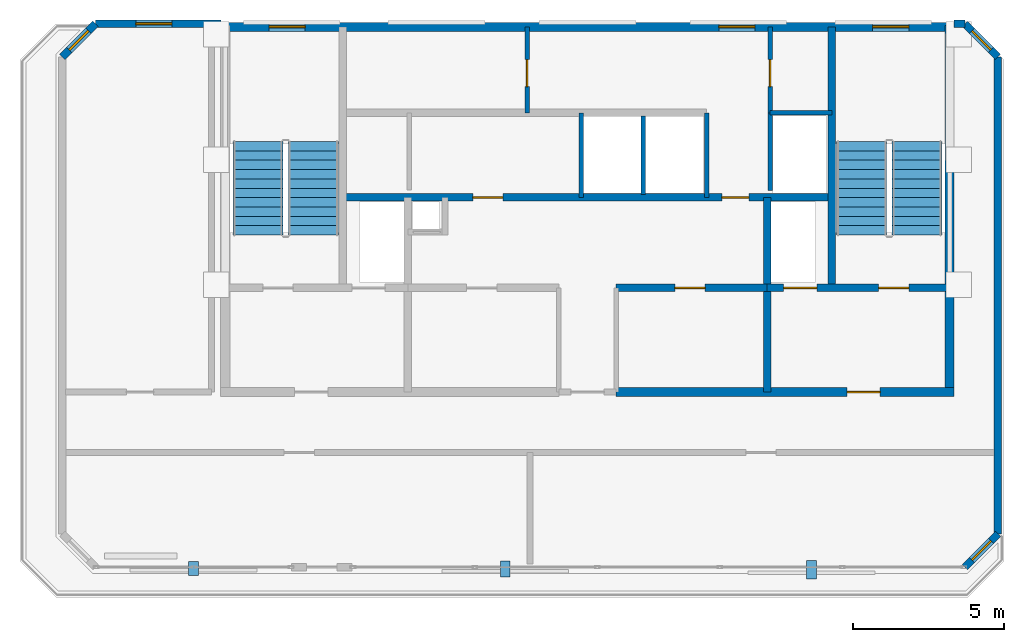
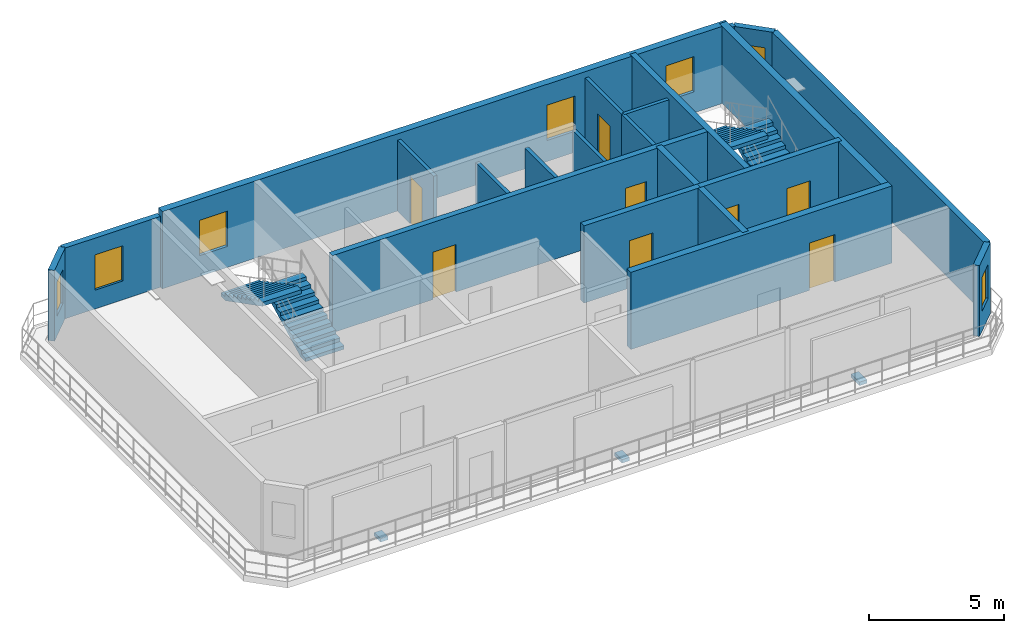
# One storey, part 5 of 6: 21 walls, 8 doors, 7 windows, 4 stair flights, 3 discrete accessories, 15 openings, 2 elements without a shape of their own.
"""IFC4 building model written with IfcOpenShell, lengths in metres."""

from ifc_helpers import new_model, si_unit, direction, frame, frame_2d, origin, origin_2d, place, context, subcontext, project, spatial, polyline, rectangle, outline, extrude, material, layer, layer_set, type_object, element, fill, aggregate, save


model = new_model("IFC4")

# Units and contexts
model_context = context("Model", 3, precision=1e-05, world=origin(), true_north=direction((0.0, 1.0)))
body_context = subcontext(model_context, "Body", "Model", "MODEL_VIEW")
ifc_project = project(units=[si_unit("LENGTHUNIT", "METRE"), si_unit("AREAUNIT", "SQUARE_METRE"), si_unit("VOLUMEUNIT", "CUBIC_METRE"), si_unit("PLANEANGLEUNIT", "RADIAN"), si_unit("MASSUNIT", "GRAM", prefix="KILO")], contexts=[model_context])

# Site, building, storey
site_placement = place(None, origin())
site = spatial("IfcSite", under=ifc_project, at=site_placement, CompositionType="ELEMENT")
building_placement = place(site_placement, origin())
building = spatial("IfcBuilding", under=site, at=building_placement, Name="Catumbela Crestline Tower", CompositionType="ELEMENT")
storey_placement = place(building_placement, frame((0.0, 0.0, 301.0)))
storey = spatial("IfcBuildingStorey", under=building, at=storey_placement, Name="L77", CompositionType="ELEMENT", Elevation=301.0)

# Walls
ifc_material_1 = material(Name="Concrete C50/60", Category="concrete")
ifc_layer_1 = layer(ifc_material_1, 0.25, Name="Concrete C50/60")
ifc_layer_set_1 = layer_set([ifc_layer_1], Name="Concrete C50/60")
wall_type_1 = type_object("IfcWallType", Name="CW-250D", PredefinedType="SHEAR", material=ifc_layer_set_1)
wall_1_placement = place(storey_placement, frame((36.1, 34.25, 0.0), z_axis=(0.0, 0.0, 1.0), x_axis=(0.0, 1.0, 0.0)))
element("IfcWall", 1, at=wall_1_placement, inside=storey, type_object=wall_type_1, Name="L77 Structural Core Shear Wall EWEB", PredefinedType="SHEAR", context=body_context, shape_type="SweptSolid", body=[
    extrude(rectangle(XDim=8.65, YDim=0.25, at=frame_2d((4.325, 0.0))), origin(), (0.0, 0.0, 1.0), 3.5),
])
wall_2_placement = place(storey_placement, frame((33.95, 30.8, 0.0), z_axis=(0.0, 0.0, 1.0), x_axis=(0.0, 1.0, 0.0)))
element("IfcWall", 2, at=wall_2_placement, inside=storey, type_object=wall_type_1, Name="L77 Structural Core Shear Wall FFE", PredefinedType="SHEAR", context=body_context, shape_type="SweptSolid", body=[
    extrude(rectangle(XDim=6.45, YDim=0.25, at=frame_2d((3.225, 0.0))), origin(), (0.0, 0.0, 1.0), 3.5),
])

# Wall, openings, doors
wall_3_placement = place(storey_placement, frame((33.95, 34.25, 0.0), z_axis=(0.0, 0.0, 1.0), x_axis=(1.0, 0.0, 0.0)))
wall_3 = element("IfcWall", 3, at=wall_3_placement, inside=storey, type_object=wall_type_1, Name="L77 Structural Core Shear Wall ST2S", PredefinedType="SHEAR", context=body_context, shape_type="SweptSolid", body=[
    extrude(rectangle(XDim=6.05, YDim=0.25, at=frame_2d((3.025, 0.0))), origin(), (0.0, 0.0, 1.0), 3.5),
])
opening_1_placement = place(wall_3_placement, frame((3.7, 0.0, 0.0)))
opening_1 = element("IfcOpeningElement", 4, at=opening_1_placement, cuts=wall_3, Name="Opening DF9-100", PredefinedType="OPENING", context=body_context, shape_type="SweptSolid", body=[
    extrude(rectangle(XDim=1.0, YDim=2.15, at=frame_2d((0.5, 1.075))), frame((0.0, 0.135, 0.0), z_axis=(0.0, -1.0, 0.0), x_axis=(1.0, 0.0, 0.0)), (0.0, 0.0, 1.0), 0.27),
])
opening_2_placement = place(wall_3_placement, frame((0.55, 0.0, 0.0)))
opening_2 = element("IfcOpeningElement", 5, at=opening_2_placement, cuts=wall_3, Name="Opening LD-110", PredefinedType="OPENING", context=body_context, shape_type="SweptSolid", body=[
    extrude(rectangle(XDim=1.1, YDim=2.15, at=frame_2d((0.55, 1.075))), frame((0.0, 0.135, 0.0), z_axis=(0.0, -1.0, 0.0), x_axis=(1.0, 0.0, 0.0)), (0.0, 0.0, 1.0), 0.27),
])
ifc_material_2 = material(Name="Stainless steel EN 1.4401", Category="steel")
door_type_1 = type_object("IfcDoorType", Name="DF9-100", OperationType="NOTDEFINED", PredefinedType="DOOR", material=ifc_material_2)
door_1_placement = place(opening_1_placement, origin())
door_1 = element("IfcDoor", 6, at=door_1_placement, inside=storey, type_object=door_type_1, Name="L77 Interior Door DR-L77-ST02", OperationType="SINGLE_SWING_RIGHT", OverallHeight=2.15, OverallWidth=1.0, PredefinedType="DOOR", context=body_context, shape_type="SweptSolid", body=[
    extrude(rectangle(XDim=1.0, YDim=2.15, at=frame_2d((0.5, 1.075))), frame((0.0, 0.025, 0.0), z_axis=(0.0, -1.0, 0.0), x_axis=(1.0, 0.0, 0.0)), (0.0, 0.0, 1.0), 0.05),
])
fill(opening_1, door_1)
door_type_2 = type_object("IfcDoorType", Name="LD-110", OperationType="NOTDEFINED", PredefinedType="DOOR", material=ifc_material_2)
door_2_placement = place(opening_2_placement, origin())
door_2 = element("IfcDoor", 7, at=door_2_placement, inside=storey, type_object=door_type_2, Name="L77 Lift Landing Sliding Door FL-02", OperationType="DOUBLE_DOOR_SLIDING", OverallHeight=2.15, OverallWidth=1.1, PredefinedType="DOOR", context=body_context, shape_type="SweptSolid", body=[
    extrude(rectangle(XDim=1.1, YDim=2.15, at=frame_2d((0.55, 1.075))), frame((0.0, 0.025, 0.0), z_axis=(0.0, -1.0, 0.0), x_axis=(1.0, 0.0, 0.0)), (0.0, 0.0, 1.0), 0.05),
])
fill(opening_2, door_2)

# Wall, opening, door
wall_4_placement = place(storey_placement, frame((28.95, 34.25, 0.0), z_axis=(0.0, 0.0, 1.0), x_axis=(1.0, 0.0, 0.0)))
wall_4 = element("IfcWall", 8, at=wall_4_placement, inside=storey, type_object=wall_type_1, Name="L77 Structural Core Shear Wall LIFTS-E", PredefinedType="SHEAR", context=body_context, shape_type="SweptSolid", body=[
    extrude(rectangle(XDim=5.0, YDim=0.25, at=frame_2d((2.5, 0.0))), origin(), (0.0, 0.0, 1.0), 3.5),
])
opening_3_placement = place(wall_4_placement, frame((1.95, 0.0, 0.0)))
opening_3 = element("IfcOpeningElement", 9, at=opening_3_placement, cuts=wall_4, Name="Opening DF9-100", PredefinedType="OPENING", context=body_context, shape_type="SweptSolid", body=[
    extrude(rectangle(XDim=1.0, YDim=2.15, at=frame_2d((0.5, 1.075))), frame((0.0, 0.135, 0.0), z_axis=(0.0, -1.0, 0.0), x_axis=(1.0, 0.0, 0.0)), (0.0, 0.0, 1.0), 0.27),
])
door_3_placement = place(opening_3_placement, origin())
door_3 = element("IfcDoor", 10, at=door_3_placement, inside=storey, type_object=door_type_1, Name="L77 Interior Door DR-L77-RECL2", OperationType="SINGLE_SWING_RIGHT", OverallHeight=2.15, OverallWidth=1.0, PredefinedType="DOOR", context=body_context, shape_type="SweptSolid", body=[
    extrude(rectangle(XDim=1.0, YDim=2.15, at=frame_2d((0.5, 1.075))), frame((0.0, 0.025, 0.0), z_axis=(0.0, -1.0, 0.0), x_axis=(1.0, 0.0, 0.0)), (0.0, 0.0, 1.0), 0.05),
])
fill(opening_3, door_3)

# Wall, openings, doors
wall_5_placement = place(storey_placement, frame((19.9, 37.25, 0.0), z_axis=(0.0, 0.0, 1.0), x_axis=(1.0, 0.0, 0.0)))
wall_5 = element("IfcWall", 11, at=wall_5_placement, inside=storey, type_object=wall_type_1, Name="L77 Structural Core Shear Wall LIFTN", PredefinedType="SHEAR", context=body_context, shape_type="SweptSolid", body=[
    extrude(rectangle(XDim=16.2, YDim=0.25, at=frame_2d((8.1, 0.0))), origin(), (0.0, 0.0, 1.0), 3.5),
])
opening_4_placement = place(wall_5_placement, frame((4.3, 0.0, 0.0)))
opening_4 = element("IfcOpeningElement", 12, at=opening_4_placement, cuts=wall_5, Name="Opening DF9-100", PredefinedType="OPENING", context=body_context, shape_type="SweptSolid", body=[
    extrude(rectangle(XDim=1.0, YDim=2.15, at=frame_2d((0.5, 1.075))), frame((0.0, 0.135, 0.0), z_axis=(0.0, -1.0, 0.0), x_axis=(1.0, 0.0, 0.0)), (0.0, 0.0, 1.0), 0.27),
])
opening_5_placement = place(wall_5_placement, frame((12.55, 0.0, 0.0)))
opening_5 = element("IfcOpeningElement", 13, at=opening_5_placement, cuts=wall_5, Name="Opening DF9-090", PredefinedType="OPENING", context=body_context, shape_type="SweptSolid", body=[
    extrude(rectangle(XDim=0.9, YDim=2.15, at=frame_2d((0.45, 1.075))), frame((0.0, 0.135, 0.0), z_axis=(0.0, -1.0, 0.0), x_axis=(1.0, 0.0, 0.0)), (0.0, 0.0, 1.0), 0.27),
])
door_type_3 = type_object("IfcDoorType", Name="DF9-090", OperationType="NOTDEFINED", PredefinedType="DOOR", material=ifc_material_2)
door_4_placement = place(opening_5_placement, origin())
door_4 = element("IfcDoor", 14, at=door_4_placement, inside=storey, type_object=door_type_3, Name="L77 Interior Door DR-L77-CPAS1", OperationType="SINGLE_SWING_LEFT", OverallHeight=2.15, OverallWidth=0.9, PredefinedType="DOOR", context=body_context, shape_type="SweptSolid", body=[
    extrude(rectangle(XDim=0.9, YDim=2.15, at=frame_2d((0.45, 1.075))), frame((0.0, 0.025, 0.0), z_axis=(0.0, -1.0, 0.0), x_axis=(1.0, 0.0, 0.0)), (0.0, 0.0, 1.0), 0.05),
])
fill(opening_5, door_4)
door_5_placement = place(opening_4_placement, origin())
door_5 = element("IfcDoor", 15, at=door_5_placement, inside=storey, type_object=door_type_1, Name="L77 Interior Door DR-L77-RECL3", OperationType="SINGLE_SWING_LEFT", OverallHeight=2.15, OverallWidth=1.0, PredefinedType="DOOR", context=body_context, shape_type="SweptSolid", body=[
    extrude(rectangle(XDim=1.0, YDim=2.15, at=frame_2d((0.5, 1.075))), frame((0.0, 0.025, 0.0), z_axis=(0.0, -1.0, 0.0), x_axis=(1.0, 0.0, 0.0)), (0.0, 0.0, 1.0), 0.05),
])
fill(opening_4, door_5)

# Wall
ifc_material_3 = material(Name="Concrete C45/55", Category="concrete")
ifc_layer_2 = layer(ifc_material_3, 0.3, Name="Concrete C45/55")
ifc_layer_set_2 = layer_set([ifc_layer_2], Name="Concrete C45/55")
wall_type_2 = type_object("IfcWallType", Name="CW-300C", PredefinedType="SHEAR", material=ifc_layer_set_2)
wall_6_placement = place(storey_placement, frame((40.0, 30.65, 0.0), z_axis=(0.0, 0.0, 1.0), x_axis=(0.0, 1.0, 0.0)))
element("IfcWall", 16, at=wall_6_placement, inside=storey, type_object=wall_type_2, Name="L77 Structural Core Shear Wall E", PredefinedType="SHEAR", context=body_context, shape_type="SweptSolid", body=[
    extrude(rectangle(XDim=12.3, YDim=0.3, at=frame_2d((6.15, 0.0))), origin(), (0.0, 0.0, 1.0), 3.5),
])

# Wall, opening, door
wall_7_placement = place(storey_placement, frame((28.95, 30.8, 0.0), z_axis=(0.0, 0.0, 1.0), x_axis=(1.0, 0.0, 0.0)))
wall_7 = element("IfcWall", 17, at=wall_7_placement, inside=storey, type_object=wall_type_2, Name="L77 Structural Core Shear Wall SE", PredefinedType="SHEAR", context=body_context, shape_type="SweptSolid", body=[
    extrude(rectangle(XDim=11.2, YDim=0.3, at=frame_2d((5.6, 0.0))), origin(), (0.0, 0.0, 1.0), 3.5),
])
opening_6_placement = place(wall_7_placement, frame((7.65, 0.0, 0.0)))
opening_6 = element("IfcOpeningElement", 18, at=opening_6_placement, cuts=wall_7, Name="Opening DF9-110", PredefinedType="OPENING", context=body_context, shape_type="SweptSolid", body=[
    extrude(rectangle(XDim=1.1, YDim=2.15, at=frame_2d((0.55, 1.075))), frame((0.0, 0.16, 0.0), z_axis=(0.0, -1.0, 0.0), x_axis=(1.0, 0.0, 0.0)), (0.0, 0.0, 1.0), 0.32),
])
door_type_4 = type_object("IfcDoorType", Name="DF9-110", OperationType="NOTDEFINED", PredefinedType="DOOR", material=ifc_material_2)
door_6_placement = place(opening_6_placement, origin())
door_6 = element("IfcDoor", 19, at=door_6_placement, inside=storey, type_object=door_type_4, Name="L77 Interior Door DR-L77-FFE-S", OperationType="SINGLE_SWING_RIGHT", OverallHeight=2.15, OverallWidth=1.1, PredefinedType="DOOR", context=body_context, shape_type="SweptSolid", body=[
    extrude(rectangle(XDim=1.1, YDim=2.15, at=frame_2d((0.55, 1.075))), frame((0.0, 0.025, 0.0), z_axis=(0.0, -1.0, 0.0), x_axis=(1.0, 0.0, 0.0)), (0.0, 0.0, 1.0), 0.05),
])
fill(opening_6, door_6)

# Wall, openings, windows
ifc_layer_3 = layer(ifc_material_3, 0.3, Name="Concrete C45/55")
ifc_layer_set_3 = layer_set([ifc_layer_3], Name="Concrete C45/55")
wall_type_3 = type_object("IfcWallType", Name="CW-300E", PredefinedType="SHEAR", material=ifc_layer_set_3)
wall_8_placement = place(storey_placement, frame((15.85, 42.9, 0.0), z_axis=(0.0, 0.0, 1.0), x_axis=(1.0, 0.0, 0.0)))
wall_8 = element("IfcWall", 20, at=wall_8_placement, inside=storey, type_object=wall_type_3, Name="L77 Structural Core Shear Wall N", PredefinedType="SHEAR", context=body_context, shape_type="SweptSolid", body=[
    extrude(rectangle(XDim=24.3, YDim=0.3, at=frame_2d((12.15, 0.0))), origin(), (0.0, 0.0, 1.0), 3.5),
])
opening_7_placement = place(wall_8_placement, frame((1.6, 0.0, 0.95)))
opening_7 = element("IfcOpeningElement", 21, at=opening_7_placement, cuts=wall_8, Name="Opening WN-02", PredefinedType="OPENING", context=body_context, shape_type="SweptSolid", body=[
    extrude(rectangle(XDim=1.2, YDim=1.6, at=frame_2d((0.6, 0.8))), frame((0.0, 0.16, 0.0), z_axis=(0.0, -1.0, 0.0), x_axis=(1.0, 0.0, 0.0)), (0.0, 0.0, 1.0), 0.32),
])
opening_8_placement = place(wall_8_placement, frame((16.5, 0.0, 0.95)))
opening_8 = element("IfcOpeningElement", 22, at=opening_8_placement, cuts=wall_8, Name="Opening WN-02", PredefinedType="OPENING", context=body_context, shape_type="SweptSolid", body=[
    extrude(rectangle(XDim=1.2, YDim=1.6, at=frame_2d((0.6, 0.8))), frame((0.0, 0.16, 0.0), z_axis=(0.0, -1.0, 0.0), x_axis=(1.0, 0.0, 0.0)), (0.0, 0.0, 1.0), 0.32),
])
opening_9_placement = place(wall_8_placement, frame((21.6, 0.0, 0.95)))
opening_9 = element("IfcOpeningElement", 23, at=opening_9_placement, cuts=wall_8, Name="Opening WN-02", PredefinedType="OPENING", context=body_context, shape_type="SweptSolid", body=[
    extrude(rectangle(XDim=1.2, YDim=1.6, at=frame_2d((0.6, 0.8))), frame((0.0, 0.16, 0.0), z_axis=(0.0, -1.0, 0.0), x_axis=(1.0, 0.0, 0.0)), (0.0, 0.0, 1.0), 0.32),
])
ifc_material_4 = material(Name="Low-E laminated solar-control double glazing", Category="glass")
window_type_1 = type_object("IfcWindowType", Name="WO-1200", PartitioningType="SINGLE_PANEL", PredefinedType="WINDOW", material=ifc_material_4)
window_1_placement = place(opening_7_placement, origin())
window_1 = element("IfcWindow", 24, at=window_1_placement, inside=storey, type_object=window_type_1, Name="L77 North Core Daylight Vision Window 627", OverallHeight=1.6, OverallWidth=1.2, PartitioningType="SINGLE_PANEL", PredefinedType="WINDOW", context=body_context, shape_type="SweptSolid", body=[
    extrude(rectangle(XDim=1.2, YDim=1.6, at=frame_2d((0.6, 0.8))), frame((0.0, 0.03, 0.0), z_axis=(0.0, -1.0, 0.0), x_axis=(1.0, 0.0, 0.0)), (0.0, 0.0, 1.0), 0.06),
])
fill(opening_7, window_1)
window_2_placement = place(opening_8_placement, origin())
window_2 = element("IfcWindow", 25, at=window_2_placement, inside=storey, type_object=window_type_1, Name="L77 North Core Daylight Vision Window 628", OverallHeight=1.6, OverallWidth=1.2, PartitioningType="SINGLE_PANEL", PredefinedType="WINDOW", context=body_context, shape_type="SweptSolid", body=[
    extrude(rectangle(XDim=1.2, YDim=1.6, at=frame_2d((0.6, 0.8))), frame((0.0, 0.03, 0.0), z_axis=(0.0, -1.0, 0.0), x_axis=(1.0, 0.0, 0.0)), (0.0, 0.0, 1.0), 0.06),
])
fill(opening_8, window_2)
window_3_placement = place(opening_9_placement, origin())
window_3 = element("IfcWindow", 26, at=window_3_placement, inside=storey, type_object=window_type_1, Name="L77 North Core Daylight Vision Window 629", OverallHeight=1.6, OverallWidth=1.2, PartitioningType="SINGLE_PANEL", PredefinedType="WINDOW", context=body_context, shape_type="SweptSolid", body=[
    extrude(rectangle(XDim=1.2, YDim=1.6, at=frame_2d((0.6, 0.8))), frame((0.0, 0.03, 0.0), z_axis=(0.0, -1.0, 0.0), x_axis=(1.0, 0.0, 0.0)), (0.0, 0.0, 1.0), 0.06),
])
fill(opening_9, window_3)

# Wall, opening, window
ifc_material_5 = material(Name="Angolan grey-ochre granite", Category="masonry")
ifc_layer_4 = layer(ifc_material_5, 0.25, Name="Angolan grey-ochre granite")
ifc_layer_set_4 = layer_set([ifc_layer_4], Name="Angolan grey-ochre granite")
wall_type_4 = type_object("IfcWallType", Name="WE-250", PredefinedType="STANDARD", material=ifc_layer_set_4)
wall_9_placement = place(storey_placement, frame((40.5, 25.0, 0.0), z_axis=(0.0, 0.0, 1.0), x_axis=(0.707106781187, 0.707106781187, 0.0)))
wall_9 = element("IfcWall", 27, at=wall_9_placement, inside=storey, type_object=wall_type_4, Name="L77 Granite Punched Window Wall 1-1", PredefinedType="STANDARD", context=body_context, shape_type="SweptSolid", body=[
    extrude(rectangle(XDim=1.5556, YDim=0.25, at=frame_2d((0.7778, 0.0))), origin(), (0.0, 0.0, 1.0), 3.21),
])
opening_10_placement = place(wall_9_placement, frame((0.3278, 0.0, 0.9)))
opening_10 = element("IfcOpeningElement", 28, at=opening_10_placement, cuts=wall_9, Name="Opening WN-03", PredefinedType="OPENING", context=body_context, shape_type="SweptSolid", body=[
    extrude(rectangle(XDim=0.9, YDim=1.55, at=frame_2d((0.45, 0.775))), frame((0.0, 0.135, 0.0), z_axis=(0.0, -1.0, 0.0), x_axis=(1.0, 0.0, 0.0)), (0.0, 0.0, 1.0), 0.27),
])
window_type_2 = type_object("IfcWindowType", Name="WO-0900", PartitioningType="SINGLE_PANEL", PredefinedType="WINDOW", material=ifc_material_4)
window_4_placement = place(opening_10_placement, origin())
window_4 = element("IfcWindow", 29, at=window_4_placement, inside=storey, type_object=window_type_2, Name="L77 Facade Vision Window 630", OverallHeight=1.55, OverallWidth=0.9, PartitioningType="SINGLE_PANEL", PredefinedType="WINDOW", context=body_context, shape_type="SweptSolid", body=[
    extrude(rectangle(XDim=0.9, YDim=1.55, at=frame_2d((0.45, 0.775))), frame((0.0, 0.03, 0.0), z_axis=(0.0, -1.0, 0.0), x_axis=(1.0, 0.0, 0.0)), (0.0, 0.0, 1.0), 0.06),
])
fill(opening_10, window_4)

# Wall
wall_10_placement = place(storey_placement, frame((41.6, 26.1, 0.0), z_axis=(0.0, 0.0, 1.0), x_axis=(0.0, 1.0, 0.0)))
element("IfcWall", 30, at=wall_10_placement, inside=storey, type_object=wall_type_4, Name="L77 Granite Punched Window Wall 2-1", PredefinedType="STANDARD", context=body_context, shape_type="SweptSolid", body=[
    extrude(rectangle(XDim=15.8, YDim=0.25, at=frame_2d((7.9, 0.0))), origin(), (0.0, 0.0, 1.0), 3.21),
])

# Wall, opening, window
wall_11_placement = place(storey_placement, frame((41.6, 41.9, 0.0), z_axis=(0.0, 0.0, 1.0), x_axis=(-0.707106781187, 0.707106781187, 0.0)))
wall_11 = element("IfcWall", 31, at=wall_11_placement, inside=storey, type_object=wall_type_4, Name="L77 Granite Punched Window Wall 3-1", PredefinedType="STANDARD", context=body_context, shape_type="SweptSolid", body=[
    extrude(rectangle(XDim=1.5556, YDim=0.25, at=frame_2d((0.7778, 0.0))), origin(), (0.0, 0.0, 1.0), 3.21),
])
opening_11_placement = place(wall_11_placement, frame((0.3278, 0.0, 0.9)))
opening_11 = element("IfcOpeningElement", 32, at=opening_11_placement, cuts=wall_11, Name="Opening WN-03", PredefinedType="OPENING", context=body_context, shape_type="SweptSolid", body=[
    extrude(rectangle(XDim=0.9, YDim=1.55, at=frame_2d((0.45, 0.775))), frame((0.0, 0.135, 0.0), z_axis=(0.0, -1.0, 0.0), x_axis=(1.0, 0.0, 0.0)), (0.0, 0.0, 1.0), 0.27),
])
window_5_placement = place(opening_11_placement, origin())
window_5 = element("IfcWindow", 33, at=window_5_placement, inside=storey, type_object=window_type_2, Name="L77 Facade Vision Window 631", OverallHeight=1.55, OverallWidth=0.9, PartitioningType="SINGLE_PANEL", PredefinedType="WINDOW", context=body_context, shape_type="SweptSolid", body=[
    extrude(rectangle(XDim=0.9, YDim=1.55, at=frame_2d((0.45, 0.775))), frame((0.0, 0.03, 0.0), z_axis=(0.0, -1.0, 0.0), x_axis=(1.0, 0.0, 0.0)), (0.0, 0.0, 1.0), 0.06),
])
fill(opening_11, window_5)

# Wall
wall_12_placement = place(storey_placement, frame((40.5, 43.0, 0.0), z_axis=(0.0, 0.0, 1.0), x_axis=(-1.0, 0.0, 0.0)))
element("IfcWall", 34, at=wall_12_placement, inside=storey, type_object=wall_type_4, Name="L77 Granite Punched Window Wall 4-1", PredefinedType="STANDARD", context=body_context, shape_type="SweptSolid", body=[
    extrude(rectangle(XDim=0.36, YDim=0.25, at=frame_2d((0.18, 0.0))), origin(), (0.0, 0.0, 1.0), 3.21),
])

# Wall, opening, window
wall_13_placement = place(storey_placement, frame((15.86, 43.0, 0.0), z_axis=(0.0, 0.0, 1.0), x_axis=(-1.0, 0.0, 0.0)))
wall_13 = element("IfcWall", 35, at=wall_13_placement, inside=storey, type_object=wall_type_4, Name="L77 Granite Punched Window Wall 4-2", PredefinedType="STANDARD", context=body_context, shape_type="SweptSolid", body=[
    extrude(rectangle(XDim=4.16, YDim=0.25, at=frame_2d((2.08, 0.0))), origin(), (0.0, 0.0, 1.0), 3.21),
])
opening_12_placement = place(wall_13_placement, frame((1.625, 0.0, 0.85)))
opening_12 = element("IfcOpeningElement", 36, at=opening_12_placement, cuts=wall_13, Name="Opening WN-02", PredefinedType="OPENING", context=body_context, shape_type="SweptSolid", body=[
    extrude(rectangle(XDim=1.2, YDim=1.6, at=frame_2d((0.6, 0.8))), frame((0.0, 0.135, 0.0), z_axis=(0.0, -1.0, 0.0), x_axis=(1.0, 0.0, 0.0)), (0.0, 0.0, 1.0), 0.27),
])
window_6_placement = place(opening_12_placement, origin())
window_6 = element("IfcWindow", 37, at=window_6_placement, inside=storey, type_object=window_type_1, Name="L77 Facade Vision Window 632", OverallHeight=1.6, OverallWidth=1.2, PartitioningType="SINGLE_PANEL", PredefinedType="WINDOW", context=body_context, shape_type="SweptSolid", body=[
    extrude(rectangle(XDim=1.2, YDim=1.6, at=frame_2d((0.6, 0.8))), frame((0.0, 0.03, 0.0), z_axis=(0.0, -1.0, 0.0), x_axis=(1.0, 0.0, 0.0)), (0.0, 0.0, 1.0), 0.06),
])
fill(opening_12, window_6)

wall_14_placement = place(storey_placement, frame((11.7, 43.0, 0.0), z_axis=(0.0, 0.0, 1.0), x_axis=(-0.707106781187, -0.707106781187, 0.0)))
wall_14 = element("IfcWall", 38, at=wall_14_placement, inside=storey, type_object=wall_type_4, Name="L77 Granite Punched Window Wall 5-1", PredefinedType="STANDARD", context=body_context, shape_type="SweptSolid", body=[
    extrude(rectangle(XDim=1.5556, YDim=0.25, at=frame_2d((0.7778, 0.0))), origin(), (0.0, 0.0, 1.0), 3.21),
])
opening_13_placement = place(wall_14_placement, frame((0.3278, 0.0, 0.9)))
opening_13 = element("IfcOpeningElement", 39, at=opening_13_placement, cuts=wall_14, Name="Opening WN-03", PredefinedType="OPENING", context=body_context, shape_type="SweptSolid", body=[
    extrude(rectangle(XDim=0.9, YDim=1.55, at=frame_2d((0.45, 0.775))), frame((0.0, 0.135, 0.0), z_axis=(0.0, -1.0, 0.0), x_axis=(1.0, 0.0, 0.0)), (0.0, 0.0, 1.0), 0.27),
])
window_7_placement = place(opening_13_placement, origin())
window_7 = element("IfcWindow", 40, at=window_7_placement, inside=storey, type_object=window_type_2, Name="L77 Facade Vision Window 633", OverallHeight=1.55, OverallWidth=0.9, PartitioningType="SINGLE_PANEL", PredefinedType="WINDOW", context=body_context, shape_type="SweptSolid", body=[
    extrude(rectangle(XDim=0.9, YDim=1.55, at=frame_2d((0.45, 0.775))), frame((0.0, 0.03, 0.0), z_axis=(0.0, -1.0, 0.0), x_axis=(1.0, 0.0, 0.0)), (0.0, 0.0, 1.0), 0.06),
])
fill(opening_13, window_7)

# Wall
ifc_material_6 = material(Name="Acoustic gypsum and mineral-wool partition")
ifc_layer_5 = layer(ifc_material_6, 0.15, Name="Acoustic gypsum and mineral-wool partition")
ifc_layer_set_5 = layer_set([ifc_layer_5], Name="Acoustic gypsum and mineral-wool partition")
wall_type_5 = type_object("IfcWallType", Name="WP-150", PredefinedType="PARTITIONING", material=ifc_layer_set_5)
wall_15_placement = place(storey_placement, frame((34.05, 40.05, 0.0), z_axis=(0.0, 0.0, 1.0), x_axis=(1.0, 0.0, 0.0)))
element("IfcWall", 41, at=wall_15_placement, inside=storey, type_object=wall_type_5, Name="L77 Interior Partition PW-L77-CR-ES", PredefinedType="PARTITIONING", context=body_context, shape_type="SweptSolid", body=[
    extrude(rectangle(XDim=2.05, YDim=0.15, at=frame_2d((1.025, 0.0))), origin(), (0.0, 0.0, 1.0), 3.21),
])

# Wall, opening, door
wall_16_placement = place(storey_placement, frame((34.05, 40.05, 0.0), z_axis=(0.0, 0.0, 1.0), x_axis=(0.0, 1.0, 0.0)))
wall_16 = element("IfcWall", 42, at=wall_16_placement, inside=storey, type_object=wall_type_5, Name="L77 Interior Partition PW-L77-CR-EW", PredefinedType="PARTITIONING", context=body_context, shape_type="SweptSolid", body=[
    extrude(rectangle(XDim=2.85, YDim=0.15, at=frame_2d((1.425, 0.0))), origin(), (0.0, 0.0, 1.0), 3.21),
])
opening_14_placement = place(wall_16_placement, frame((0.865, 0.0, 0.0)))
opening_14 = element("IfcOpeningElement", 43, at=opening_14_placement, cuts=wall_16, Name="Opening DF9-090", PredefinedType="OPENING", context=body_context, shape_type="SweptSolid", body=[
    extrude(rectangle(XDim=0.9, YDim=2.15, at=frame_2d((0.45, 1.075))), frame((0.0, 0.085, 0.0), z_axis=(0.0, -1.0, 0.0), x_axis=(1.0, 0.0, 0.0)), (0.0, 0.0, 1.0), 0.17),
])
door_7_placement = place(opening_14_placement, origin())
door_7 = element("IfcDoor", 44, at=door_7_placement, inside=storey, type_object=door_type_3, Name="L77 Interior Door DR-L77-CREAST", OperationType="SINGLE_SWING_RIGHT", OverallHeight=2.15, OverallWidth=0.9, PredefinedType="DOOR", context=body_context, shape_type="SweptSolid", body=[
    extrude(rectangle(XDim=0.9, YDim=2.15, at=frame_2d((0.45, 1.075))), frame((0.0, 0.025, 0.0), z_axis=(0.0, -1.0, 0.0), x_axis=(1.0, 0.0, 0.0)), (0.0, 0.0, 1.0), 0.05),
])
fill(opening_14, door_7)

wall_17_placement = place(storey_placement, frame((26.0, 40.05, 0.0), z_axis=(0.0, 0.0, 1.0), x_axis=(0.0, 1.0, 0.0)))
wall_17 = element("IfcWall", 45, at=wall_17_placement, inside=storey, type_object=wall_type_5, Name="L77 Interior Partition PW-L77-CR-WW", PredefinedType="PARTITIONING", context=body_context, shape_type="SweptSolid", body=[
    extrude(rectangle(XDim=2.85, YDim=0.15, at=frame_2d((1.425, 0.0))), origin(), (0.0, 0.0, 1.0), 3.21),
])
opening_15_placement = place(wall_17_placement, frame((0.865, 0.0, 0.0)))
opening_15 = element("IfcOpeningElement", 46, at=opening_15_placement, cuts=wall_17, Name="Opening DF9-090", PredefinedType="OPENING", context=body_context, shape_type="SweptSolid", body=[
    extrude(rectangle(XDim=0.9, YDim=2.15, at=frame_2d((0.45, 1.075))), frame((0.0, 0.085, 0.0), z_axis=(0.0, -1.0, 0.0), x_axis=(1.0, 0.0, 0.0)), (0.0, 0.0, 1.0), 0.17),
])
door_8_placement = place(opening_15_placement, origin())
door_8 = element("IfcDoor", 47, at=door_8_placement, inside=storey, type_object=door_type_3, Name="L77 Interior Door DR-L77-CRWEST", OperationType="SINGLE_SWING_LEFT", OverallHeight=2.15, OverallWidth=0.9, PredefinedType="DOOR", context=body_context, shape_type="SweptSolid", body=[
    extrude(rectangle(XDim=0.9, YDim=2.15, at=frame_2d((0.45, 1.075))), frame((0.0, 0.025, 0.0), z_axis=(0.0, -1.0, 0.0), x_axis=(1.0, 0.0, 0.0)), (0.0, 0.0, 1.0), 0.05),
])
fill(opening_15, door_8)

# Walls
ifc_layer_6 = layer(ifc_material_6, 0.15, Name="Acoustic gypsum and mineral-wool partition")
ifc_layer_set_6 = layer_set([ifc_layer_6], Name="Acoustic gypsum and mineral-wool partition")
wall_type_6 = type_object("IfcWallType", Name="WS-150", PredefinedType="PLUMBINGWALL", material=ifc_layer_set_6)
for number, where, z_axis, x_axis, name in (
    (48, (27.8, 37.25, 0.0), (0.0, 0.0, 1.0), (0.0, 1.0, 0.0), "L77 Interior Partition PW-L77-SHH3"),
    (49, (31.95, 37.25, 0.0), (0.0, 0.0, 1.0), (0.0, 1.0, 0.0), "L77 Interior Partition PW-L77-SHEX2E"),
):
    element("IfcWall", number, at=place(storey_placement, frame(where, z_axis=z_axis, x_axis=x_axis)), inside=storey, type_object=wall_type_6, Name=name, PredefinedType="PLUMBINGWALL", context=body_context, shape_type="SweptSolid", body=[
        extrude(rectangle(XDim=2.8, YDim=0.15, at=frame_2d((1.4, 0.0))), origin(), (0.0, 0.0, 1.0), 3.21),
    ])
wall_18_placement = place(storey_placement, frame((29.85, 37.35, 0.0), z_axis=(0.0, 0.0, 1.0), x_axis=(0.0, 1.0, 0.0)))
element("IfcWall", 50, at=wall_18_placement, inside=storey, type_object=wall_type_6, Name="L77 Interior Partition PW-L77-SHEX1", PredefinedType="PLUMBINGWALL", context=body_context, shape_type="SweptSolid", body=[
    extrude(rectangle(XDim=2.6, YDim=0.15, at=frame_2d((1.3, 0.0))), origin(), (0.0, 0.0, 1.0), 3.21),
])
wall_19_placement = place(storey_placement, frame((34.05, 37.4734, 0.0), z_axis=(0.0, 0.0, 1.0), x_axis=(0.0, 1.0, 0.0)))
element("IfcWall", 51, at=wall_19_placement, inside=storey, type_object=wall_type_6, Name="L77 Interior Partition PW-L77-RISW", PredefinedType="PLUMBINGWALL", context=body_context, shape_type="SweptSolid", body=[
    extrude(rectangle(XDim=2.5766, YDim=0.15, at=frame_2d((1.2883, 0.0))), origin(), (0.0, 0.0, 1.0), 3.21),
])

# Stair, stair flights
stair_type = type_object("IfcStairType", Name="ST-DLG", PredefinedType="HALF_TURN_STAIR", material=ifc_material_3)
stair_1_placement = place(storey_placement, origin())
stair_1 = element("IfcStair", 52, at=stair_1_placement, inside=storey, type_object=stair_type, Name="L77 West Core Pressurised Exit Stair ST-01", PredefinedType="HALF_TURN_STAIR")
stair_flight_type = type_object("IfcStairFlightType", Name="SF-1591", PredefinedType="STRAIGHT", material=ifc_material_3)
stair_flight_1_placement = place(storey_placement, frame((18.92, 36.0, 0.0), z_axis=(0.0, 0.0, 1.0), x_axis=(0.0, 1.0, 0.0)))
stair_flight_1 = element("IfcStairFlight", 53, at=stair_flight_1_placement, type_object=stair_flight_type, Name="ST-01 flight 1", NumberOfRisers=11, NumberOfTreads=10, PredefinedType="STRAIGHT", RiserHeight=0.159090909, TreadLength=0.31, context=body_context, shape_type="SweptSolid", body=[
    extrude(outline(polyline([(0.0, 0.0), (0.0, 0.1591), (0.31, 0.1591), (0.31, 0.3182), (0.62, 0.3182), (0.62, 0.4773), (0.93, 0.4773), (0.93, 0.6364), (1.24, 0.6364), (1.24, 0.7955), (1.55, 0.7955), (1.55, 0.9545), (1.86, 0.9545), (1.86, 1.1136), (2.17, 1.1136), (2.17, 1.2727), (2.48, 1.2727), (2.48, 1.4318), (2.79, 1.4318), (2.79, 1.5909), (3.1, 1.5909), (3.1, 1.75), (3.1, 1.4111), (0.3504, 0.0), (0.0, 0.0)])), frame((0.0, 0.83, 0.0), z_axis=(0.0, -1.0, 0.0), x_axis=(1.0, 0.0, 0.0)), (0.0, 0.0, 1.0), 1.66),
])
stair_flight_2_placement = place(storey_placement, frame((17.08, 39.1, 1.75), z_axis=(0.0, 0.0, 1.0), x_axis=(0.0, -1.0, 0.0)))
stair_flight_2 = element("IfcStairFlight", 54, at=stair_flight_2_placement, type_object=stair_flight_type, Name="ST-01 flight 2", NumberOfRisers=11, NumberOfTreads=10, PredefinedType="STRAIGHT", RiserHeight=0.159090909, TreadLength=0.31, context=body_context, shape_type="SweptSolid", body=[
    extrude(outline(polyline([(0.0, 0.0), (0.0, 0.1591), (0.31, 0.1591), (0.31, 0.3182), (0.62, 0.3182), (0.62, 0.4773), (0.93, 0.4773), (0.93, 0.6364), (1.24, 0.6364), (1.24, 0.7955), (1.55, 0.7955), (1.55, 0.9545), (1.86, 0.9545), (1.86, 1.1136), (2.17, 1.1136), (2.17, 1.2727), (2.48, 1.2727), (2.48, 1.4318), (2.79, 1.4318), (2.79, 1.5909), (3.1, 1.5909), (3.1, 1.75), (3.1, 1.4111), (0.3504, 0.0), (0.0, 0.0)])), frame((0.0, 0.83, 0.0), z_axis=(0.0, -1.0, 0.0), x_axis=(1.0, 0.0, 0.0)), (0.0, 0.0, 1.0), 1.66),
])
aggregate(stair_1, [stair_flight_1, stair_flight_2])

stair_2_placement = place(storey_placement, origin())
stair_2 = element("IfcStair", 55, at=stair_2_placement, inside=storey, type_object=stair_type, Name="L77 East Core Pressurised Exit Stair ST-02", PredefinedType="HALF_TURN_STAIR")
stair_flight_3_placement = place(storey_placement, frame((38.92, 36.0, 0.0), z_axis=(0.0, 0.0, 1.0), x_axis=(0.0, 1.0, 0.0)))
stair_flight_3 = element("IfcStairFlight", 56, at=stair_flight_3_placement, type_object=stair_flight_type, Name="ST-02 flight 1", NumberOfRisers=11, NumberOfTreads=10, PredefinedType="STRAIGHT", RiserHeight=0.159090909, TreadLength=0.31, context=body_context, shape_type="SweptSolid", body=[
    extrude(outline(polyline([(0.0, 0.0), (0.0, 0.1591), (0.31, 0.1591), (0.31, 0.3182), (0.62, 0.3182), (0.62, 0.4773), (0.93, 0.4773), (0.93, 0.6364), (1.24, 0.6364), (1.24, 0.7955), (1.55, 0.7955), (1.55, 0.9545), (1.86, 0.9545), (1.86, 1.1136), (2.17, 1.1136), (2.17, 1.2727), (2.48, 1.2727), (2.48, 1.4318), (2.79, 1.4318), (2.79, 1.5909), (3.1, 1.5909), (3.1, 1.75), (3.1, 1.4111), (0.3504, 0.0), (0.0, 0.0)])), frame((0.0, 0.83, 0.0), z_axis=(0.0, -1.0, 0.0), x_axis=(1.0, 0.0, 0.0)), (0.0, 0.0, 1.0), 1.66),
])
stair_flight_4_placement = place(storey_placement, frame((37.08, 39.1, 1.75), z_axis=(0.0, 0.0, 1.0), x_axis=(0.0, -1.0, 0.0)))
stair_flight_4 = element("IfcStairFlight", 57, at=stair_flight_4_placement, type_object=stair_flight_type, Name="ST-02 flight 2", NumberOfRisers=11, NumberOfTreads=10, PredefinedType="STRAIGHT", RiserHeight=0.159090909, TreadLength=0.31, context=body_context, shape_type="SweptSolid", body=[
    extrude(outline(polyline([(0.0, 0.0), (0.0, 0.1591), (0.31, 0.1591), (0.31, 0.3182), (0.62, 0.3182), (0.62, 0.4773), (0.93, 0.4773), (0.93, 0.6364), (1.24, 0.6364), (1.24, 0.7955), (1.55, 0.7955), (1.55, 0.9545), (1.86, 0.9545), (1.86, 1.1136), (2.17, 1.1136), (2.17, 1.2727), (2.48, 1.2727), (2.48, 1.4318), (2.79, 1.4318), (2.79, 1.5909), (3.1, 1.5909), (3.1, 1.75), (3.1, 1.4111), (0.3504, 0.0), (0.0, 0.0)])), frame((0.0, 0.83, 0.0), z_axis=(0.0, -1.0, 0.0), x_axis=(1.0, 0.0, 0.0)), (0.0, 0.0, 1.0), 1.66),
])
aggregate(stair_2, [stair_flight_3, stair_flight_4])

# Discrete accessories
discrete_accessory_type = type_object("IfcDiscreteAccessoryType", Name="BK-SS1", PredefinedType="BRACKET", material=ifc_material_2)
discrete_accessory_1_placement = place(storey_placement, frame((14.95, 24.955, -0.18), z_axis=(0.0, 0.0, 1.0), x_axis=(1.0, 0.0, 0.0)))
element("IfcDiscreteAccessory", 58, at=discrete_accessory_1_placement, inside=storey, type_object=discrete_accessory_type, Name="L77 Solar Screen Stainless Bracket 939", PredefinedType="BRACKET", context=body_context, shape_type="SweptSolid", body=[
    extrude(rectangle(XDim=0.32, YDim=0.46, at=origin_2d()), origin(), (0.0, 0.0, 1.0), 0.16),
])
discrete_accessory_2_placement = place(storey_placement, frame((25.275, 24.935, -0.18), z_axis=(0.0, 0.0, 1.0), x_axis=(1.0, 0.0, 0.0)))
element("IfcDiscreteAccessory", 59, at=discrete_accessory_2_placement, inside=storey, type_object=discrete_accessory_type, Name="L77 Solar Screen Stainless Bracket 940", PredefinedType="BRACKET", context=body_context, shape_type="SweptSolid", body=[
    extrude(rectangle(XDim=0.32, YDim=0.54, at=origin_2d()), origin(), (0.0, 0.0, 1.0), 0.16),
])
discrete_accessory_3_placement = place(storey_placement, frame((35.425, 24.915, -0.18), z_axis=(0.0, 0.0, 1.0), x_axis=(1.0, 0.0, 0.0)))
element("IfcDiscreteAccessory", 60, at=discrete_accessory_3_placement, inside=storey, type_object=discrete_accessory_type, Name="L77 Solar Screen Stainless Bracket 941", PredefinedType="BRACKET", context=body_context, shape_type="SweptSolid", body=[
    extrude(rectangle(XDim=0.32, YDim=0.62, at=origin_2d()), origin(), (0.0, 0.0, 1.0), 0.16),
])

save(model, "model.ifc")
